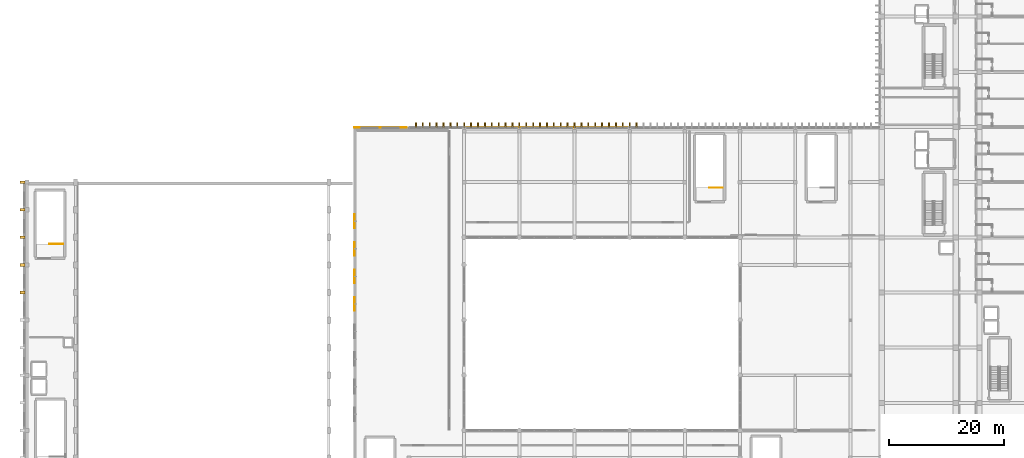
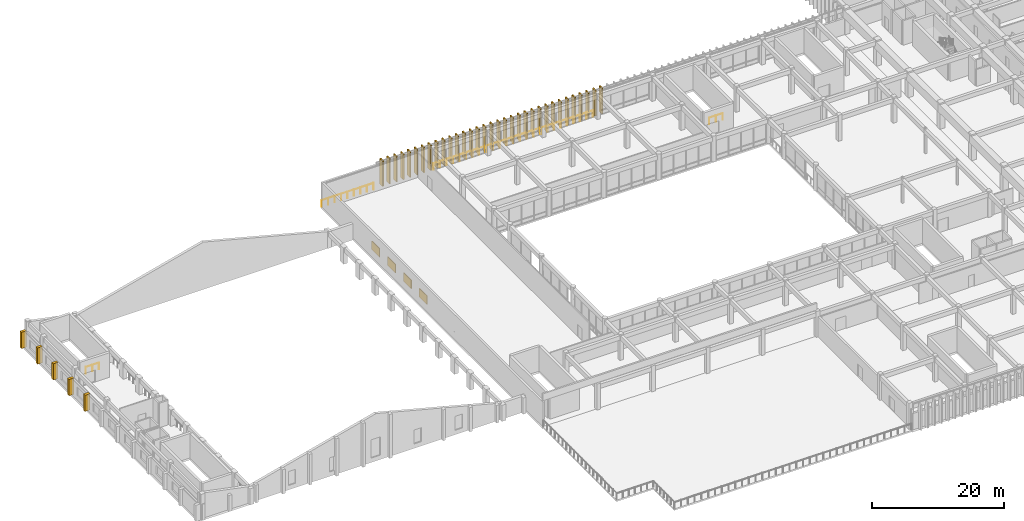
# One storey, part 91 of 101: 38 coverings, 37 shading devices, 6 railings.
"""IFC4 building model written with IfcOpenShell, lengths in metres."""

from ifc_helpers import new_model, si_unit, direction, frame, origin, origin_2d, place, context, subcontext, project, spatial, rectangle, circle, extrude, material, layer, layer_set, type_object, element, save


model = new_model("IFC4")

# Units and contexts
model_context = context("Model", 3, precision=1e-05, world=origin(), true_north=direction((0.0, 1.0)))
body_context = subcontext(model_context, "Body", "Model", "MODEL_VIEW")
ifc_project = project(units=[si_unit("LENGTHUNIT", "METRE"), si_unit("AREAUNIT", "SQUARE_METRE"), si_unit("VOLUMEUNIT", "CUBIC_METRE"), si_unit("PLANEANGLEUNIT", "RADIAN"), si_unit("MASSUNIT", "GRAM", prefix="KILO")], contexts=[model_context])

# Site, building, storey
site_placement = place(None, origin())
site = spatial("IfcSite", under=ifc_project, at=site_placement, CompositionType="ELEMENT")
building_placement = place(site_placement, origin())
building = spatial("IfcBuilding", under=site, at=building_placement, Name="Nakhvara Creek Congress Hotel", CompositionType="ELEMENT")
storey_placement = place(building_placement, frame((0.0, 0.0, 16.199951171875)))
storey = spatial("IfcBuildingStorey", under=building, at=storey_placement, Name="L03", CompositionType="ELEMENT", Elevation=16.199951171875)

# Coverings
ifc_material_1 = material(Name="Honed pale Omani limestone architectural cladding", Category="masonry")
ifc_layer_1 = layer(ifc_material_1, 0.449951171875)
ifc_layer_set_1 = layer_set([ifc_layer_1], Name="Honed pale Omani limestone architectural cladding")
covering_type_1 = type_object("IfcCoveringType", Name="COV-BUTT-850", PredefinedType="CLADDING", material=ifc_layer_set_1)
for number, where, z_axis, x_axis, name in (
    (1, (-0.06494140625, 67.199951171875, 0.0), (0.0, 0.0, 1.0), (0.0, 1.0, 0.0), "Gothic Limestone Buttress Pier CF03-0516"),
    (2, (-0.06494140625, 72.0, 0.0), (0.0, 0.0, 1.0), (0.0, 1.0, 0.0), "Gothic Limestone Buttress Pier CF03-0517"),
    (3, (-0.06494140625, 76.800048828125, 0.0), (0.0, 0.0, 1.0), (0.0, 1.0, 0.0), "Gothic Limestone Buttress Pier CF03-0518"),
    (4, (-0.06494140625, 81.60009765625, 0.0), (0.0, 0.0, 1.0), (0.0, 1.0, 0.0), "Gothic Limestone Buttress Pier CF03-0519"),
    (5, (-0.06494140625, 86.39990234375, 0.0), (0.0, 0.0, 1.0), (0.0, 1.0, 0.0), "Gothic Limestone Buttress Pier CF03-0520"),
):
    element("IfcCovering", number, at=place(storey_placement, frame(where, z_axis=z_axis, x_axis=x_axis)), inside=storey, type_object=covering_type_1, Name=name, PredefinedType="CLADDING", context=body_context, shape_type="SweptSolid", body=[
        extrude(rectangle(XDim=0.47998046875, YDim=0.85009765625, at=origin_2d()), origin(), (0.0, 0.0, 1.0), 3.0),
    ])
ifc_layer_2 = layer(ifc_material_1, 0.219970703125)
ifc_layer_set_2 = layer_set([ifc_layer_2], Name="Honed pale Omani limestone architectural cladding")
covering_type_2 = type_object("IfcCoveringType", Name="COV-FIN-850", PredefinedType="CLADDING", material=ifc_layer_set_2)
for number, where, z_axis, x_axis, name in (
    (6, (68.39990234375, 96.304931640625, 0.0), (0.0, 0.0, 1.0), (1.0, 0.0, 0.0), "Pale Limestone Fin Cladding CF01-0331"),
    (7, (69.60009765625, 96.304931640625, 0.0), (0.0, 0.0, 1.0), (1.0, 0.0, 0.0), "Pale Limestone Fin Cladding CF01-0332"),
    (8, (70.800048828125, 96.304931640625, 0.0), (0.0, 0.0, 1.0), (1.0, 0.0, 0.0), "Pale Limestone Fin Cladding CF01-0333"),
    (9, (72.0, 96.304931640625, 0.0), (0.0, 0.0, 1.0), (1.0, 0.0, 0.0), "Pale Limestone Fin Cladding CF01-0334"),
    (10, (73.199951171875, 96.304931640625, 0.0), (0.0, 0.0, 1.0), (1.0, 0.0, 0.0), "Pale Limestone Fin Cladding CF01-0335"),
    (11, (74.39990234375, 96.304931640625, 0.0), (0.0, 0.0, 1.0), (1.0, 0.0, 0.0), "Pale Limestone Fin Cladding CF01-0336"),
    (12, (75.60009765625, 96.304931640625, 0.0), (0.0, 0.0, 1.0), (1.0, 0.0, 0.0), "Pale Limestone Fin Cladding CF01-0337"),
    (13, (76.800048828125, 96.304931640625, 0.0), (0.0, 0.0, 1.0), (1.0, 0.0, 0.0), "Pale Limestone Fin Cladding CF01-0338"),
    (14, (78.0, 96.304931640625, 0.0), (0.0, 0.0, 1.0), (1.0, 0.0, 0.0), "Pale Limestone Fin Cladding CF01-0339"),
    (15, (79.199951171875, 96.304931640625, 0.0), (0.0, 0.0, 1.0), (1.0, 0.0, 0.0), "Pale Limestone Fin Cladding CF01-0340"),
    (16, (80.39990234375, 96.304931640625, 0.0), (0.0, 0.0, 1.0), (1.0, 0.0, 0.0), "Pale Limestone Fin Cladding CF01-0341"),
    (17, (81.60009765625, 96.304931640625, 0.0), (0.0, 0.0, 1.0), (1.0, 0.0, 0.0), "Pale Limestone Fin Cladding CF01-0342"),
    (18, (82.800048828125, 96.304931640625, 0.0), (0.0, 0.0, 1.0), (1.0, 0.0, 0.0), "Pale Limestone Fin Cladding CF01-0343"),
    (19, (84.0, 96.304931640625, 0.0), (0.0, 0.0, 1.0), (1.0, 0.0, 0.0), "Pale Limestone Fin Cladding CF01-0344"),
    (20, (85.199951171875, 96.304931640625, 0.0), (0.0, 0.0, 1.0), (1.0, 0.0, 0.0), "Pale Limestone Fin Cladding CF01-0345"),
    (21, (86.39990234375, 96.304931640625, 0.0), (0.0, 0.0, 1.0), (1.0, 0.0, 0.0), "Pale Limestone Fin Cladding CF01-0346"),
    (22, (87.60009765625, 96.304931640625, 0.0), (0.0, 0.0, 1.0), (1.0, 0.0, 0.0), "Pale Limestone Fin Cladding CF01-0347"),
    (23, (88.800048828125, 96.304931640625, 0.0), (0.0, 0.0, 1.0), (1.0, 0.0, 0.0), "Pale Limestone Fin Cladding CF01-0348"),
    (24, (90.0, 96.304931640625, 0.0), (0.0, 0.0, 1.0), (1.0, 0.0, 0.0), "Pale Limestone Fin Cladding CF01-0349"),
    (25, (91.199951171875, 96.304931640625, 0.0), (0.0, 0.0, 1.0), (1.0, 0.0, 0.0), "Pale Limestone Fin Cladding CF01-0350"),
    (26, (92.39990234375, 96.304931640625, 0.0), (0.0, 0.0, 1.0), (1.0, 0.0, 0.0), "Pale Limestone Fin Cladding CF01-0351"),
    (27, (93.60009765625, 96.304931640625, 0.0), (0.0, 0.0, 1.0), (1.0, 0.0, 0.0), "Pale Limestone Fin Cladding CF01-0352"),
    (28, (94.800048828125, 96.304931640625, 0.0), (0.0, 0.0, 1.0), (1.0, 0.0, 0.0), "Pale Limestone Fin Cladding CF01-0353"),
    (29, (96.0, 96.304931640625, 0.0), (0.0, 0.0, 1.0), (1.0, 0.0, 0.0), "Pale Limestone Fin Cladding CF01-0354"),
    (30, (97.199951171875, 96.304931640625, 0.0), (0.0, 0.0, 1.0), (1.0, 0.0, 0.0), "Pale Limestone Fin Cladding CF01-0355"),
    (31, (98.39990234375, 96.304931640625, 0.0), (0.0, 0.0, 1.0), (1.0, 0.0, 0.0), "Pale Limestone Fin Cladding CF01-0356"),
    (32, (99.60009765625, 96.304931640625, 0.0), (0.0, 0.0, 1.0), (1.0, 0.0, 0.0), "Pale Limestone Fin Cladding CF01-0357"),
    (33, (100.800048828125, 96.304931640625, 0.0), (0.0, 0.0, 1.0), (1.0, 0.0, 0.0), "Pale Limestone Fin Cladding CF01-0358"),
    (34, (102.0, 96.304931640625, 0.0), (0.0, 0.0, 1.0), (1.0, 0.0, 0.0), "Pale Limestone Fin Cladding CF01-0359"),
    (35, (103.199951171875, 96.304931640625, 0.0), (0.0, 0.0, 1.0), (1.0, 0.0, 0.0), "Pale Limestone Fin Cladding CF01-0360"),
    (36, (104.39990234375, 96.304931640625, 0.0), (0.0, 0.0, 1.0), (1.0, 0.0, 0.0), "Pale Limestone Fin Cladding CF01-0361"),
    (37, (105.60009765625, 96.304931640625, 0.0), (0.0, 0.0, 1.0), (1.0, 0.0, 0.0), "Pale Limestone Fin Cladding CF01-0362"),
    (38, (106.800048828125, 96.304931640625, 0.0), (0.0, 0.0, 1.0), (1.0, 0.0, 0.0), "Pale Limestone Fin Cladding CF01-0363"),
):
    element("IfcCovering", number, at=place(storey_placement, frame(where, z_axis=z_axis, x_axis=x_axis)), inside=storey, type_object=covering_type_2, Name=name, PredefinedType="CLADDING", context=body_context, shape_type="SweptSolid", body=[
        extrude(rectangle(XDim=0.219970703125, YDim=0.85009765625, at=origin_2d()), origin(), (0.0, 0.0, 1.0), 4.719970703125),
    ])

# Railings
ifc_material_2 = material(Name="Brushed stainless steel 316L", Category="steel")
railing_type = type_object("IfcRailingType", Name="RL-GUARD-1200", PredefinedType="GUARDRAIL", material=ifc_material_2)
for number, where, name in (
    (39, (57.659912109375, 95.919921875, 0.0), "North Conference Edge Guard L03-57"),
    (40, (77.25, 95.919921875, 0.0), "North Conference Edge Guard L03-77"),
):
    element("IfcRailing", number, at=place(storey_placement, frame(where)), inside=storey, type_object=railing_type, Name=name, PredefinedType="GUARDRAIL", context=body_context, shape_type="SweptSolid", body=[
        extrude(circle(Radius=0.02392578125, at=origin_2d()), frame((0.0146484375, 0.0, 1.17578125), z_axis=(1.0, 0.0, 0.0), x_axis=(0.0, 1.0, 0.0)), (0.0, 0.0, 1.0), 9.060791015625),
        extrude(circle(Radius=0.02099609375, at=origin_2d()), origin(), (0.0, 0.0, 1.0), 1.1806640625),
        extrude(circle(Radius=0.02099609375, at=origin_2d()), frame((1.13623046875, 0.0, 0.0)), (0.0, 0.0, 1.0), 1.1806640625),
        extrude(circle(Radius=0.02099609375, at=origin_2d()), frame((2.2724609375, 0.0, 0.0)), (0.0, 0.0, 1.0), 1.1806640625),
        extrude(circle(Radius=0.02099609375, at=origin_2d()), frame((3.40869140625, 0.0, 0.0)), (0.0, 0.0, 1.0), 1.1806640625),
        extrude(circle(Radius=0.02099609375, at=origin_2d()), frame((4.544921875, 0.0, 0.0)), (0.0, 0.0, 1.0), 1.1806640625),
        extrude(circle(Radius=0.02099609375, at=origin_2d()), frame((5.681396484375, 0.0, 0.0)), (0.0, 0.0, 1.0), 1.1806640625),
        extrude(circle(Radius=0.02099609375, at=origin_2d()), frame((6.817626953125, 0.0, 0.0)), (0.0, 0.0, 1.0), 1.1806640625),
        extrude(circle(Radius=0.02099609375, at=origin_2d()), frame((7.953857421875, 0.0, 0.0)), (0.0, 0.0, 1.0), 1.1806640625),
        extrude(circle(Radius=0.02099609375, at=origin_2d()), frame((9.090087890625, 0.0, 0.0)), (0.0, 0.0, 1.0), 1.1806640625),
    ])
railing_1_placement = place(storey_placement, frame((86.4599609375, 95.919921875, 0.0)))
element("IfcRailing", 41, at=railing_1_placement, inside=storey, type_object=railing_type, Name="North Conference Edge Guard L03-86", PredefinedType="GUARDRAIL", context=body_context, shape_type="SweptSolid", body=[
    extrude(circle(Radius=0.02392578125, at=origin_2d()), frame((0.0146484375, 0.0, 1.17578125), z_axis=(1.0, 0.0, 0.0), x_axis=(0.0, 1.0, 0.0)), (0.0, 0.0, 1.0), 9.45068359375),
    extrude(circle(Radius=0.02099609375, at=origin_2d()), origin(), (0.0, 0.0, 1.0), 1.1806640625),
    extrude(circle(Radius=0.02099609375, at=origin_2d()), frame((1.18505859375, 0.0, 0.0)), (0.0, 0.0, 1.0), 1.1806640625),
    extrude(circle(Radius=0.02099609375, at=origin_2d()), frame((2.3701171875, 0.0, 0.0)), (0.0, 0.0, 1.0), 1.1806640625),
    extrude(circle(Radius=0.02099609375, at=origin_2d()), frame((3.554931640625, 0.0, 0.0)), (0.0, 0.0, 1.0), 1.1806640625),
    extrude(circle(Radius=0.02099609375, at=origin_2d()), frame((4.739990234375, 0.0, 0.0)), (0.0, 0.0, 1.0), 1.1806640625),
    extrude(circle(Radius=0.02099609375, at=origin_2d()), frame((5.925048828125, 0.0, 0.0)), (0.0, 0.0, 1.0), 1.1806640625),
    extrude(circle(Radius=0.02099609375, at=origin_2d()), frame((7.10986328125, 0.0, 0.0)), (0.0, 0.0, 1.0), 1.1806640625),
    extrude(circle(Radius=0.02099609375, at=origin_2d()), frame((8.294921875, 0.0, 0.0)), (0.0, 0.0, 1.0), 1.1806640625),
    extrude(circle(Radius=0.02099609375, at=origin_2d()), frame((9.47998046875, 0.0, 0.0)), (0.0, 0.0, 1.0), 1.1806640625),
])
railing_2_placement = place(storey_placement, frame((96.06005859375, 95.919921875, 0.0)))
element("IfcRailing", 42, at=railing_2_placement, inside=storey, type_object=railing_type, Name="North Conference Edge Guard L03-96", PredefinedType="GUARDRAIL", context=body_context, shape_type="SweptSolid", body=[
    extrude(circle(Radius=0.02392578125, at=origin_2d()), frame((0.0146484375, 0.0, 1.17578125), z_axis=(1.0, 0.0, 0.0), x_axis=(0.0, 1.0, 0.0)), (0.0, 0.0, 1.0), 9.060546875),
    extrude(circle(Radius=0.02099609375, at=origin_2d()), origin(), (0.0, 0.0, 1.0), 1.1806640625),
    extrude(circle(Radius=0.02099609375, at=origin_2d()), frame((1.13623046875, 0.0, 0.0)), (0.0, 0.0, 1.0), 1.1806640625),
    extrude(circle(Radius=0.02099609375, at=origin_2d()), frame((2.2724609375, 0.0, 0.0)), (0.0, 0.0, 1.0), 1.1806640625),
    extrude(circle(Radius=0.02099609375, at=origin_2d()), frame((3.40869140625, 0.0, 0.0)), (0.0, 0.0, 1.0), 1.1806640625),
    extrude(circle(Radius=0.02099609375, at=origin_2d()), frame((4.544921875, 0.0, 0.0)), (0.0, 0.0, 1.0), 1.1806640625),
    extrude(circle(Radius=0.02099609375, at=origin_2d()), frame((5.68115234375, 0.0, 0.0)), (0.0, 0.0, 1.0), 1.1806640625),
    extrude(circle(Radius=0.02099609375, at=origin_2d()), frame((6.8173828125, 0.0, 0.0)), (0.0, 0.0, 1.0), 1.1806640625),
    extrude(circle(Radius=0.02099609375, at=origin_2d()), frame((7.95361328125, 0.0, 0.0)), (0.0, 0.0, 1.0), 1.1806640625),
    extrude(circle(Radius=0.02099609375, at=origin_2d()), frame((9.08984375, 0.0, 0.0)), (0.0, 0.0, 1.0), 1.1806640625),
])
for number, where, name in (
    (43, (6.989990234375, 75.6298828125, 0.0), "L03 ST07 top well guard 1"),
    (44, (121.7900390625, 85.429931640625, 0.0), "L03 ST09 top well guard 1"),
):
    element("IfcRailing", number, at=place(storey_placement, frame(where)), inside=storey, type_object=railing_type, Name=name, PredefinedType="GUARDRAIL", context=body_context, shape_type="SweptSolid", body=[
        extrude(circle(Radius=0.02392578125, at=origin_2d()), frame((-0.0146484375, 0.0, 1.17578125), z_axis=(-1.0, 0.0, 0.0), x_axis=(0.0, -1.0, 0.0)), (0.0, 0.0, 1.0), 2.310791015625),
        extrude(circle(Radius=0.02099609375, at=origin_2d()), origin(), (0.0, 0.0, 1.0), 1.1806640625),
        extrude(circle(Radius=0.02099609375, at=origin_2d()), frame((-1.169921875, 0.0, 0.0)), (0.0, 0.0, 1.0), 1.1806640625),
        extrude(circle(Radius=0.02099609375, at=origin_2d()), frame((-2.340087890625, 0.0, 0.0)), (0.0, 0.0, 1.0), 1.1806640625),
    ])

# Shading devices
ifc_material_3 = material(Name="Honed pale Omani limestone cladding on stainless steel spine", Category="masonry")
shading_device_type_1 = type_object("IfcShadingDeviceType", Name="SHD-FIN-850X4700", PredefinedType="USERDEFINED", material=ifc_material_3)
for number, where, z_axis, x_axis, name in (
    (45, (68.39990234375, 96.304931640625, 0.0), (0.0, 0.0, 1.0), (1.0, 0.0, 0.0), "Limestone Solar Fin FN02-0331"),
    (46, (69.60009765625, 96.304931640625, 0.0), (0.0, 0.0, 1.0), (1.0, 0.0, 0.0), "Limestone Solar Fin FN02-0332"),
    (47, (70.800048828125, 96.304931640625, 0.0), (0.0, 0.0, 1.0), (1.0, 0.0, 0.0), "Limestone Solar Fin FN02-0333"),
    (48, (72.0, 96.304931640625, 0.0), (0.0, 0.0, 1.0), (1.0, 0.0, 0.0), "Limestone Solar Fin FN02-0334"),
    (49, (73.199951171875, 96.304931640625, 0.0), (0.0, 0.0, 1.0), (1.0, 0.0, 0.0), "Limestone Solar Fin FN02-0335"),
    (50, (74.39990234375, 96.304931640625, 0.0), (0.0, 0.0, 1.0), (1.0, 0.0, 0.0), "Limestone Solar Fin FN02-0336"),
    (51, (75.60009765625, 96.304931640625, 0.0), (0.0, 0.0, 1.0), (1.0, 0.0, 0.0), "Limestone Solar Fin FN02-0337"),
    (52, (76.800048828125, 96.304931640625, 0.0), (0.0, 0.0, 1.0), (1.0, 0.0, 0.0), "Limestone Solar Fin FN02-0338"),
    (53, (78.0, 96.304931640625, 0.0), (0.0, 0.0, 1.0), (1.0, 0.0, 0.0), "Limestone Solar Fin FN02-0339"),
    (54, (79.199951171875, 96.304931640625, 0.0), (0.0, 0.0, 1.0), (1.0, 0.0, 0.0), "Limestone Solar Fin FN02-0340"),
    (55, (80.39990234375, 96.304931640625, 0.0), (0.0, 0.0, 1.0), (1.0, 0.0, 0.0), "Limestone Solar Fin FN02-0341"),
    (56, (81.60009765625, 96.304931640625, 0.0), (0.0, 0.0, 1.0), (1.0, 0.0, 0.0), "Limestone Solar Fin FN02-0342"),
    (57, (82.800048828125, 96.304931640625, 0.0), (0.0, 0.0, 1.0), (1.0, 0.0, 0.0), "Limestone Solar Fin FN02-0343"),
    (58, (84.0, 96.304931640625, 0.0), (0.0, 0.0, 1.0), (1.0, 0.0, 0.0), "Limestone Solar Fin FN02-0344"),
    (59, (85.199951171875, 96.304931640625, 0.0), (0.0, 0.0, 1.0), (1.0, 0.0, 0.0), "Limestone Solar Fin FN02-0345"),
    (60, (86.39990234375, 96.304931640625, 0.0), (0.0, 0.0, 1.0), (1.0, 0.0, 0.0), "Limestone Solar Fin FN02-0346"),
    (61, (87.60009765625, 96.304931640625, 0.0), (0.0, 0.0, 1.0), (1.0, 0.0, 0.0), "Limestone Solar Fin FN02-0347"),
    (62, (88.800048828125, 96.304931640625, 0.0), (0.0, 0.0, 1.0), (1.0, 0.0, 0.0), "Limestone Solar Fin FN02-0348"),
    (63, (90.0, 96.304931640625, 0.0), (0.0, 0.0, 1.0), (1.0, 0.0, 0.0), "Limestone Solar Fin FN02-0349"),
    (64, (91.199951171875, 96.304931640625, 0.0), (0.0, 0.0, 1.0), (1.0, 0.0, 0.0), "Limestone Solar Fin FN02-0350"),
    (65, (92.39990234375, 96.304931640625, 0.0), (0.0, 0.0, 1.0), (1.0, 0.0, 0.0), "Limestone Solar Fin FN02-0351"),
    (66, (93.60009765625, 96.304931640625, 0.0), (0.0, 0.0, 1.0), (1.0, 0.0, 0.0), "Limestone Solar Fin FN02-0352"),
    (67, (94.800048828125, 96.304931640625, 0.0), (0.0, 0.0, 1.0), (1.0, 0.0, 0.0), "Limestone Solar Fin FN02-0353"),
    (68, (96.0, 96.304931640625, 0.0), (0.0, 0.0, 1.0), (1.0, 0.0, 0.0), "Limestone Solar Fin FN02-0354"),
    (69, (97.199951171875, 96.304931640625, 0.0), (0.0, 0.0, 1.0), (1.0, 0.0, 0.0), "Limestone Solar Fin FN02-0355"),
    (70, (98.39990234375, 96.304931640625, 0.0), (0.0, 0.0, 1.0), (1.0, 0.0, 0.0), "Limestone Solar Fin FN02-0356"),
    (71, (99.60009765625, 96.304931640625, 0.0), (0.0, 0.0, 1.0), (1.0, 0.0, 0.0), "Limestone Solar Fin FN02-0357"),
    (72, (100.800048828125, 96.304931640625, 0.0), (0.0, 0.0, 1.0), (1.0, 0.0, 0.0), "Limestone Solar Fin FN02-0358"),
    (73, (102.0, 96.304931640625, 0.0), (0.0, 0.0, 1.0), (1.0, 0.0, 0.0), "Limestone Solar Fin FN02-0359"),
    (74, (103.199951171875, 96.304931640625, 0.0), (0.0, 0.0, 1.0), (1.0, 0.0, 0.0), "Limestone Solar Fin FN02-0360"),
    (75, (104.39990234375, 96.304931640625, 0.0), (0.0, 0.0, 1.0), (1.0, 0.0, 0.0), "Limestone Solar Fin FN02-0361"),
    (76, (105.60009765625, 96.304931640625, 0.0), (0.0, 0.0, 1.0), (1.0, 0.0, 0.0), "Limestone Solar Fin FN02-0362"),
    (77, (106.800048828125, 96.304931640625, 0.0), (0.0, 0.0, 1.0), (1.0, 0.0, 0.0), "Limestone Solar Fin FN02-0363"),
):
    element("IfcShadingDevice", number, at=place(storey_placement, frame(where, z_axis=z_axis, x_axis=x_axis)), inside=storey, type_object=shading_device_type_1, Name=name, ObjectType="FIN", PredefinedType="USERDEFINED", context=body_context, shape_type="SweptSolid", body=[
        extrude(rectangle(XDim=0.199951171875, YDim=0.85009765625, at=origin_2d()), origin(), (0.0, 0.0, 1.0), 4.719970703125),
    ])
ifc_material_4 = material(Name="Bronze-anodised aluminium acoustic weather louvre", Category="aluminium")
shading_device_type_2 = type_object("IfcShadingDeviceType", Name="SHD-LOUV-2400X1600", PredefinedType="JALOUSIE", material=ifc_material_4)
for number, where, z_axis, x_axis, name in (
    (78, (57.739990234375, 65.199951171875, 1.199951171875), (0.0, 0.0, 1.0), (0.0, 1.0, 0.0), "Plant Acoustic Louvre LV01-05"),
    (79, (57.739990234375, 70.0, 1.199951171875), (0.0, 0.0, 1.0), (0.0, 1.0, 0.0), "Plant Acoustic Louvre LV01-06"),
    (80, (57.739990234375, 74.800048828125, 1.199951171875), (0.0, 0.0, 1.0), (0.0, 1.0, 0.0), "Plant Acoustic Louvre LV01-07"),
    (81, (57.739990234375, 79.60009765625, 1.199951171875), (0.0, 0.0, 1.0), (0.0, 1.0, 0.0), "Plant Acoustic Louvre LV01-08"),
):
    element("IfcShadingDevice", number, at=place(storey_placement, frame(where, z_axis=z_axis, x_axis=x_axis)), inside=storey, type_object=shading_device_type_2, Name=name, PredefinedType="JALOUSIE", context=body_context, shape_type="SweptSolid", body=[
        extrude(rectangle(XDim=2.360107421875, YDim=0.1201171875, at=origin_2d()), origin(), (0.0, 0.0, 1.0), 1.60009765625),
    ])

save(model, "model.ifc")
